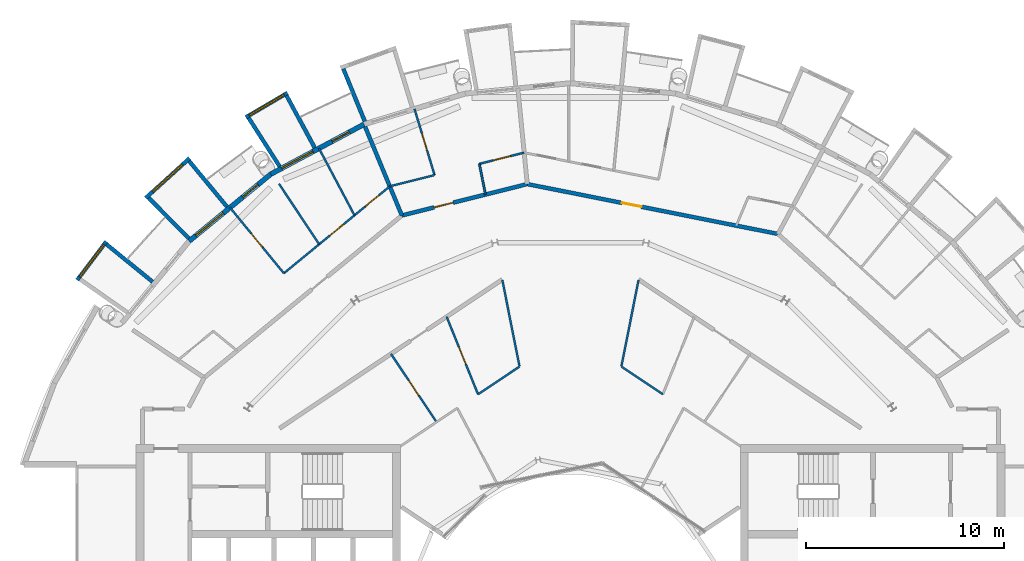
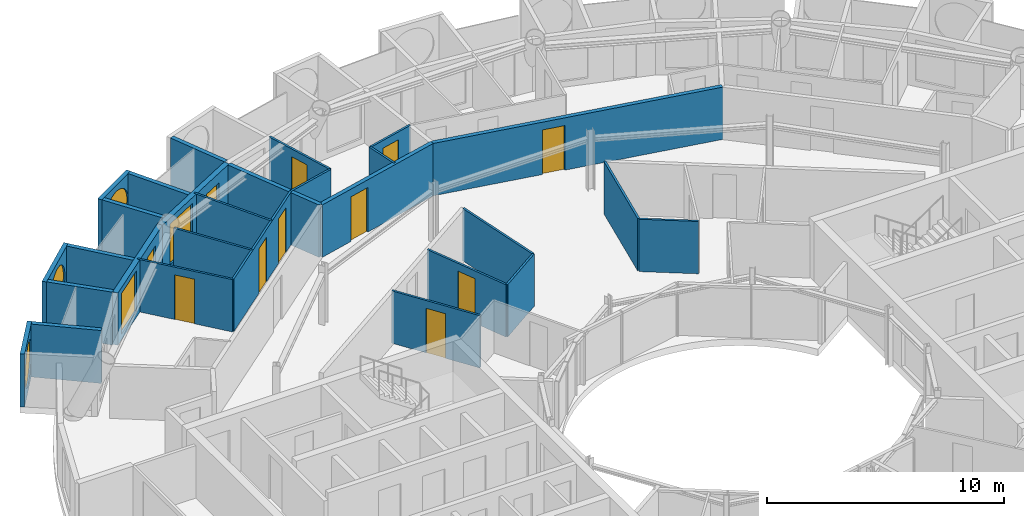
# One storey, part 21 of 28: 28 walls, 11 doors, 5 windows, 16 openings.
"""IFC4 building model written with IfcOpenShell, lengths in metres."""

from ifc_helpers import new_model, si_unit, direction, frame, frame_2d, origin, place, context, subcontext, project, spatial, rectangle, circle, extrude, material, layer, layer_set, type_object, element, fill, save


model = new_model("IFC4")

# Units and contexts
model_context = context("Model", 3, precision=1e-05, world=origin(), true_north=direction((0.0, 1.0)))
body_context = subcontext(model_context, "Body", "Model", "MODEL_VIEW")
ifc_project = project(units=[si_unit("LENGTHUNIT", "METRE"), si_unit("AREAUNIT", "SQUARE_METRE"), si_unit("VOLUMEUNIT", "CUBIC_METRE"), si_unit("PLANEANGLEUNIT", "RADIAN"), si_unit("MASSUNIT", "GRAM", prefix="KILO")], contexts=[model_context])

# Site, building, storey
site_placement = place(None, origin())
site = spatial("IfcSite", under=ifc_project, at=site_placement, CompositionType="ELEMENT")
building_placement = place(site_placement, origin())
building = spatial("IfcBuilding", under=site, at=building_placement, Name="Maasbend Ring Residences", CompositionType="ELEMENT")
storey_placement = place(building_placement, frame((0.0, 0.0, 231.0)))
storey = spatial("IfcBuildingStorey", under=building, at=storey_placement, Name="L66", CompositionType="ELEMENT", Elevation=231.0)

# Wall, opening, door
ifc_material_1 = material(Name="Concrete C30/37", Category="concrete")
ifc_layer_1 = layer(ifc_material_1, 0.199951171875)
ifc_layer_set_1 = layer_set([ifc_layer_1], Name="Concrete C30/37")
wall_type_1 = type_object("IfcWallType", Name="CORRIDOR WALL 200 CONCRETE", PredefinedType="PARTITIONING", material=ifc_layer_set_1)
wall_1_placement = place(storey_placement, frame((-2.18603515625, 22.193115234375, 0.0), z_axis=(0.0, 0.0, 1.0), x_axis=(0.980780341017, -0.195115152343, 0.0)))
wall_1 = element("IfcWall", 1, at=wall_1_placement, inside=storey, type_object=wall_type_1, Name="U-L66-w094", PredefinedType="PARTITIONING", context=body_context, shape_type="SweptSolid", body=[
    extrude(rectangle(XDim=12.94677734375, YDim=0.199951171875, at=frame_2d((6.473388671875, 0.0))), origin(), (0.0, 0.0, 1.0), 2.699951171875),
])
opening_1_placement = place(wall_1_placement, frame((4.89501953125, 0.0, 0.0)))
opening_1 = element("IfcOpeningElement", 2, at=opening_1_placement, cuts=wall_1, Name="Opening D-6606", PredefinedType="OPENING", context=body_context, shape_type="SweptSolid", body=[
    extrude(rectangle(XDim=1.0, YDim=2.300048828125, at=frame_2d((0.5, 1.14990234375))), frame((0.0, 0.10986328125, 0.0), z_axis=(0.0, -1.0, 0.0), x_axis=(1.0, 0.0, 0.0)), (0.0, 0.0, 1.0), 0.219970703125),
])
ifc_material_2 = material(Name="Timber, fire-rated, painted", Category="wood")
door_type_1 = type_object("IfcDoorType", Name="FLAT ENTRANCE DOOR 1000 X 2300 FIRE-RATED", OperationType="NOTDEFINED", PredefinedType="DOOR", material=ifc_material_2)
door_1_placement = place(opening_1_placement, origin())
door_1 = element("IfcDoor", 3, at=door_1_placement, inside=storey, type_object=door_type_1, Name="D-6606", OperationType="SINGLE_SWING_LEFT", OverallHeight=2.300048828125, OverallWidth=1.0, PredefinedType="DOOR", context=body_context, shape_type="SweptSolid", body=[
    extrude(rectangle(XDim=1.0, YDim=2.300048828125, at=frame_2d((0.5, 1.14990234375))), frame((0.0, 0.02490234375, 0.0), z_axis=(0.0, -1.0, 0.0), x_axis=(1.0, 0.0, 0.0)), (0.0, 0.0, 1.0), 0.050048828125),
])
fill(opening_1, door_1)

wall_2_placement = place(storey_placement, frame((-8.533935546875, 20.60302734375, 0.0), z_axis=(0.0, 0.0, 1.0), x_axis=(0.97003047456, 0.242983288366, 0.0)))
wall_2 = element("IfcWall", 4, at=wall_2_placement, inside=storey, type_object=wall_type_1, Name="U-L66-w098", PredefinedType="PARTITIONING", context=body_context, shape_type="SweptSolid", body=[
    extrude(rectangle(XDim=6.5439453125, YDim=0.199951171875, at=frame_2d((3.27197265625, 0.0))), origin(), (0.0, 0.0, 1.0), 2.699951171875),
])
opening_2_placement = place(wall_2_placement, frame((1.680908203125, 0.0, 0.0)))
opening_2 = element("IfcOpeningElement", 5, at=opening_2_placement, cuts=wall_2, Name="Opening D-6611", PredefinedType="OPENING", context=body_context, shape_type="SweptSolid", body=[
    extrude(rectangle(XDim=1.0, YDim=2.300048828125, at=frame_2d((0.5, 1.14990234375))), frame((0.0, 0.10986328125, 0.0), z_axis=(0.0, -1.0, 0.0), x_axis=(1.0, 0.0, 0.0)), (0.0, 0.0, 1.0), 0.219970703125),
])
door_2_placement = place(opening_2_placement, origin())
door_2 = element("IfcDoor", 6, at=door_2_placement, inside=storey, type_object=door_type_1, Name="D-6611", OperationType="SINGLE_SWING_LEFT", OverallHeight=2.300048828125, OverallWidth=1.0, PredefinedType="DOOR", context=body_context, shape_type="SweptSolid", body=[
    extrude(rectangle(XDim=1.0, YDim=2.300048828125, at=frame_2d((0.5, 1.14990234375))), frame((0.0, 0.02490234375, 0.0), z_axis=(0.0, -1.0, 0.0), x_axis=(1.0, 0.0, 0.0)), (0.0, 0.0, 1.0), 0.050048828125),
])
fill(opening_2, door_2)

# Wall
ifc_material_3 = material(Name="Pale anodised aluminium panel", Category="aluminium")
ifc_layer_2 = layer(ifc_material_3, 0.199951171875)
ifc_layer_set_2 = layer_set([ifc_layer_2], Name="EW-BOX")
wall_type_2 = type_object("IfcWallType", Name="EW-BOX", PredefinedType="SOLIDWALL", material=ifc_layer_set_2)
wall_3_placement = place(storey_placement, frame((-10.408935546875, 25.364013671875, -0.030029296875), z_axis=(0.0, 0.0, 1.0), x_axis=(-0.379509886562, 0.925187681501, 0.0)))
element("IfcWall", 7, at=wall_3_placement, inside=storey, type_object=wall_type_2, Name="Box side wall N14 right", PredefinedType="SOLIDWALL", context=body_context, shape_type="SweptSolid", body=[
    extrude(rectangle(XDim=2.882568359375, YDim=0.199951171875, at=frame_2d((1.44140625, 0.0))), origin(), (0.0, 0.0, 1.0), 2.72998046875),
])

# Wall, opening, window
wall_4_placement = place(storey_placement, frame((-14.326904296875, 26.81201171875, -0.030029296875), z_axis=(0.0, 0.0, 1.0), x_axis=(-0.862403467503, -0.506221551535, 0.0)))
wall_4 = element("IfcWall", 8, at=wall_4_placement, inside=storey, type_object=wall_type_2, Name="Box front N16", PredefinedType="SOLIDWALL", context=body_context, shape_type="SweptSolid", body=[
    extrude(rectangle(XDim=2.445556640625, YDim=0.199951171875, at=frame_2d((1.22265625, 0.0))), origin(), (0.0, 0.0, 1.0), 2.72998046875),
])
opening_3_placement = place(wall_4_placement, frame((0.182861328125, 0.0, 0.330078125)))
opening_3 = element("IfcOpeningElement", 9, at=opening_3_placement, cuts=wall_4, Name="Opening W-RD", PredefinedType="OPENING", context=body_context, shape_type="SweptSolid", body=[
    extrude(circle(Radius=1.0400390625, at=frame_2d((1.0400390625, 1.0400390625))), frame((0.0, 0.10986328125, 0.0), z_axis=(0.0, -1.0, 0.0), x_axis=(1.0, 0.0, 0.0)), (0.0, 0.0, 1.0), 0.219970703125),
])
ifc_material_4 = material(Name="Aluminium and clear glass", Category="aluminium")
window_type_1 = type_object("IfcWindowType", Name="W-RD", PartitioningType="SINGLE_PANEL", PredefinedType="WINDOW", material=ifc_material_4)
window_1_placement = place(opening_3_placement, origin())
window_1 = element("IfcWindow", 10, at=window_1_placement, inside=storey, type_object=window_type_1, Name="Round window N16", OverallHeight=2.080078125, OverallWidth=2.080078125, PartitioningType="SINGLE_PANEL", PredefinedType="WINDOW", context=body_context, shape_type="SweptSolid", body=[
    extrude(circle(Radius=1.0400390625, at=frame_2d((1.0400390625, 1.0400390625))), frame((0.0, 0.030029296875, 0.0), z_axis=(0.0, -1.0, 0.0), x_axis=(1.0, 0.0, 0.0)), (0.0, 0.0, 1.0), 0.06005859375),
])
fill(opening_3, window_1)

# Walls
wall_5_placement = place(storey_placement, frame((-12.945068359375, 24.029052734375, -0.030029296875), z_axis=(0.0, 0.0, 1.0), x_axis=(-0.474424310775, 0.88029629861, 0.0)))
element("IfcWall", 11, at=wall_5_placement, inside=storey, type_object=wall_type_2, Name="Box side wall N16 left", PredefinedType="SOLIDWALL", context=body_context, shape_type="SweptSolid", body=[
    extrude(rectangle(XDim=3.005859375, YDim=0.199951171875, at=frame_2d((1.5029296875, 0.0))), origin(), (0.0, 0.0, 1.0), 2.72998046875),
])
wall_6_placement = place(storey_placement, frame((-14.721923828125, 23.0791015625, -0.030029296875), z_axis=(0.0, 0.0, 1.0), x_axis=(-0.537572179146, 0.843217737129, 0.0)))
element("IfcWall", 12, at=wall_6_placement, inside=storey, type_object=wall_type_2, Name="Box side wall N16 right", PredefinedType="SOLIDWALL", context=body_context, shape_type="SweptSolid", body=[
    extrude(rectangle(XDim=2.92431640625, YDim=0.199951171875, at=frame_2d((1.462158203125, 0.0))), origin(), (0.0, 0.0, 1.0), 2.72998046875),
])

# Wall, opening, window
wall_7_placement = place(storey_placement, frame((-19.281982421875, 23.5029296875, -0.030029296875), z_axis=(0.0, 0.0, 1.0), x_axis=(-0.740998365753, -0.671506829416, 0.0)))
wall_7 = element("IfcWall", 13, at=wall_7_placement, inside=storey, type_object=wall_type_2, Name="Box front N18", PredefinedType="SOLIDWALL", context=body_context, shape_type="SweptSolid", body=[
    extrude(rectangle(XDim=2.9931640625, YDim=0.199951171875, at=frame_2d((1.49658203125, 0.0))), origin(), (0.0, 0.0, 1.0), 2.72998046875),
])
opening_4_placement = place(wall_7_placement, frame((0.45654296875, 0.0, 0.330078125)))
opening_4 = element("IfcOpeningElement", 14, at=opening_4_placement, cuts=wall_7, Name="Opening W-RD", PredefinedType="OPENING", context=body_context, shape_type="SweptSolid", body=[
    extrude(circle(Radius=1.0400390625, at=frame_2d((1.0400390625, 1.0400390625))), frame((0.0, 0.10986328125, 0.0), z_axis=(0.0, -1.0, 0.0), x_axis=(1.0, 0.0, 0.0)), (0.0, 0.0, 1.0), 0.219970703125),
])
window_2_placement = place(opening_4_placement, origin())
window_2 = element("IfcWindow", 15, at=window_2_placement, inside=storey, type_object=window_type_1, Name="Round window N18", OverallHeight=2.080078125, OverallWidth=2.080078125, PartitioningType="SINGLE_PANEL", PredefinedType="WINDOW", context=body_context, shape_type="SweptSolid", body=[
    extrude(circle(Radius=1.0400390625, at=frame_2d((1.0400390625, 1.0400390625))), frame((0.0, 0.030029296875, 0.0), z_axis=(0.0, -1.0, 0.0), x_axis=(1.0, 0.0, 0.0)), (0.0, 0.0, 1.0), 0.06005859375),
])
fill(opening_4, window_2)

# Walls
wall_8_placement = place(storey_placement, frame((-17.384033203125, 21.041015625, -0.030029296875), z_axis=(0.0, 0.0, 1.0), x_axis=(-0.63709551667, 0.770784861449, 0.0)))
element("IfcWall", 16, at=wall_8_placement, inside=storey, type_object=wall_type_2, Name="Box side wall N18 left", PredefinedType="SOLIDWALL", context=body_context, shape_type="SweptSolid", body=[
    extrude(rectangle(XDim=3.005859375, YDim=0.199951171875, at=frame_2d((1.5029296875, 0.0))), origin(), (0.0, 0.0, 1.0), 2.72998046875),
])
wall_9_placement = place(storey_placement, frame((-19.322998046875, 19.449951171875, -0.030029296875), z_axis=(0.0, 0.0, 1.0), x_axis=(-0.704476739375, 0.709727076896, 0.0)))
element("IfcWall", 17, at=wall_9_placement, inside=storey, type_object=wall_type_2, Name="Box side wall N18 right", PredefinedType="SOLIDWALL", context=body_context, shape_type="SweptSolid", body=[
    extrude(rectangle(XDim=2.883056640625, YDim=0.199951171875, at=frame_2d((1.44140625, 0.0))), origin(), (0.0, 0.0, 1.0), 2.72998046875),
])

# Wall, opening, window
wall_10_placement = place(storey_placement, frame((-23.4970703125, 19.2890625, -0.030029296875), z_axis=(0.0, 0.0, 1.0), x_axis=(-0.602806268067, -0.797887588059, 0.0)))
wall_10 = element("IfcWall", 18, at=wall_10_placement, inside=storey, type_object=wall_type_2, Name="Box front N20", PredefinedType="SOLIDWALL", context=body_context, shape_type="SweptSolid", body=[
    extrude(rectangle(XDim=2.446533203125, YDim=0.199951171875, at=frame_2d((1.22314453125, 0.0))), origin(), (0.0, 0.0, 1.0), 2.72998046875),
])
opening_5_placement = place(wall_10_placement, frame((0.182861328125, 0.0, 0.330078125)))
opening_5 = element("IfcOpeningElement", 19, at=opening_5_placement, cuts=wall_10, Name="Opening W-RD", PredefinedType="OPENING", context=body_context, shape_type="SweptSolid", body=[
    extrude(circle(Radius=1.0400390625, at=frame_2d((1.0400390625, 1.0400390625))), frame((0.0, 0.10986328125, 0.0), z_axis=(0.0, -1.0, 0.0), x_axis=(1.0, 0.0, 0.0)), (0.0, 0.0, 1.0), 0.219970703125),
])
window_3_placement = place(opening_5_placement, origin())
window_3 = element("IfcWindow", 20, at=window_3_placement, inside=storey, type_object=window_type_1, Name="Round window N20", OverallHeight=2.080078125, OverallWidth=2.080078125, PartitioningType="SINGLE_PANEL", PredefinedType="WINDOW", context=body_context, shape_type="SweptSolid", body=[
    extrude(circle(Radius=1.0400390625, at=frame_2d((1.0400390625, 1.0400390625))), frame((0.0, 0.030029296875, 0.0), z_axis=(0.0, -1.0, 0.0), x_axis=(1.0, 0.0, 0.0)), (0.0, 0.0, 1.0), 0.06005859375),
])
fill(opening_5, window_3)

# Wall
wall_11_placement = place(storey_placement, frame((-21.155029296875, 17.24609375, -0.030029296875), z_axis=(0.0, 0.0, 1.0), x_axis=(-0.775179004516, 0.631741648902, 0.0)))
element("IfcWall", 21, at=wall_11_placement, inside=storey, type_object=wall_type_2, Name="Box side wall N20 left", PredefinedType="SOLIDWALL", context=body_context, shape_type="SweptSolid", body=[
    extrude(rectangle(XDim=3.005859375, YDim=0.199951171875, at=frame_2d((1.5029296875, 0.0))), origin(), (0.0, 0.0, 1.0), 2.72998046875),
])

# Wall, openings, door, window
ifc_material_5 = material(Name="Aluminium clad insulated panel", Category="aluminium")
ifc_layer_3 = layer(ifc_material_5, 0.25)
ifc_layer_set_3 = layer_set([ifc_layer_3], Name="EW-GL")
wall_type_3 = type_object("IfcWallType", Name="EW-GL", PredefinedType="SOLIDWALL", material=ifc_layer_set_3)
wall_12_placement = place(storey_placement, frame((-10.447021484375, 25.221923828125, 0.0), z_axis=(0.0, 0.0, 1.0), x_axis=(-0.881915646801, -0.471407246368, 0.0)))
wall_12 = element("IfcWall", 22, at=wall_12_placement, inside=storey, type_object=wall_type_3, Name="External wall N08", PredefinedType="SOLIDWALL", context=body_context, shape_type="SweptSolid", body=[
    extrude(rectangle(XDim=5.35205078125, YDim=0.25, at=frame_2d((2.676025390625, 0.0))), origin(), (0.0, 0.0, 1.0), 2.699951171875),
])
opening_6_placement = place(wall_12_placement, frame((0.841064453125, 0.0, 0.0)))
opening_6 = element("IfcOpeningElement", 23, at=opening_6_placement, cuts=wall_12, Name="Opening D-LG", PredefinedType="OPENING", context=body_context, shape_type="SweptSolid", body=[
    extrude(rectangle(XDim=1.0, YDim=2.199951171875, at=frame_2d((0.5, 1.10009765625))), frame((0.0, 0.135009765625, 0.0), z_axis=(0.0, -1.0, 0.0), x_axis=(1.0, 0.0, 0.0)), (0.0, 0.0, 1.0), 0.27001953125),
])
opening_7_placement = place(wall_12_placement, frame((2.935791015625, 0.0, 0.300048828125)))
opening_7 = element("IfcOpeningElement", 24, at=opening_7_placement, cuts=wall_12, Name="Opening W-BX", PredefinedType="OPENING", context=body_context, shape_type="SweptSolid", body=[
    extrude(rectangle(XDim=1.800048828125, YDim=2.10009765625, at=frame_2d((0.89990234375, 1.050048828125))), frame((0.0, 0.135009765625, 0.0), z_axis=(0.0, -1.0, 0.0), x_axis=(1.0, 0.0, 0.0)), (0.0, 0.0, 1.0), 0.27001953125),
])
ifc_material_6 = material(Name="Aluminium and clear glass", Category="aluminium")
door_type_2 = type_object("IfcDoorType", Name="D-LG", OperationType="SINGLE_SWING_LEFT", PredefinedType="DOOR", material=ifc_material_6)
door_3_placement = place(opening_6_placement, origin())
door_3 = element("IfcDoor", 25, at=door_3_placement, inside=storey, type_object=door_type_2, Name="Loggia door N15", OperationType="SINGLE_SWING_LEFT", OverallHeight=2.199951171875, OverallWidth=1.0, PredefinedType="DOOR", context=body_context, shape_type="SweptSolid", body=[
    extrude(rectangle(XDim=1.0, YDim=2.199951171875, at=frame_2d((0.5, 1.10009765625))), frame((0.0, 0.02490234375, 0.0), z_axis=(0.0, -1.0, 0.0), x_axis=(1.0, 0.0, 0.0)), (0.0, 0.0, 1.0), 0.050048828125),
])
fill(opening_6, door_3)
ifc_material_7 = material(Name="Aluminium and clear glass", Category="aluminium")
window_type_2 = type_object("IfcWindowType", Name="W-BX", PartitioningType="DOUBLE_PANEL_VERTICAL", PredefinedType="WINDOW", material=ifc_material_7)
window_4_placement = place(opening_7_placement, origin())
window_4 = element("IfcWindow", 26, at=window_4_placement, inside=storey, type_object=window_type_2, Name="Window N16 room to box", OverallHeight=2.10009765625, OverallWidth=1.800048828125, PartitioningType="SINGLE_PANEL", PredefinedType="WINDOW", context=body_context, shape_type="SweptSolid", body=[
    extrude(rectangle(XDim=1.800048828125, YDim=2.10009765625, at=frame_2d((0.89990234375, 1.050048828125))), frame((0.0, 0.030029296875, 0.0), z_axis=(0.0, -1.0, 0.0), x_axis=(1.0, 0.0, 0.0)), (0.0, 0.0, 1.0), 0.06005859375),
])
fill(opening_7, window_4)

wall_13_placement = place(storey_placement, frame((-15.1669921875, 22.698974609375, 0.0), z_axis=(0.0, 0.0, 1.0), x_axis=(-0.773019449054, -0.634382322723, 0.0)))
wall_13 = element("IfcWall", 27, at=wall_13_placement, inside=storey, type_object=wall_type_3, Name="External wall N09", PredefinedType="SOLIDWALL", context=body_context, shape_type="SweptSolid", body=[
    extrude(rectangle(XDim=5.351806640625, YDim=0.25, at=frame_2d((2.67578125, 0.0))), origin(), (0.0, 0.0, 1.0), 2.699951171875),
])
opening_8_placement = place(wall_13_placement, frame((0.841064453125, 0.0, 0.0)))
opening_8 = element("IfcOpeningElement", 28, at=opening_8_placement, cuts=wall_13, Name="Opening D-LG", PredefinedType="OPENING", context=body_context, shape_type="SweptSolid", body=[
    extrude(rectangle(XDim=1.0, YDim=2.199951171875, at=frame_2d((0.5, 1.10009765625))), frame((0.0, 0.135009765625, 0.0), z_axis=(0.0, -1.0, 0.0), x_axis=(1.0, 0.0, 0.0)), (0.0, 0.0, 1.0), 0.27001953125),
])
opening_9_placement = place(wall_13_placement, frame((3.110595703125, 0.0, 0.300048828125)))
opening_9 = element("IfcOpeningElement", 29, at=opening_9_placement, cuts=wall_13, Name="Opening W-BX", PredefinedType="OPENING", context=body_context, shape_type="SweptSolid", body=[
    extrude(rectangle(XDim=1.800048828125, YDim=2.10009765625, at=frame_2d((0.89990234375, 1.050048828125))), frame((0.0, 0.135009765625, 0.0), z_axis=(0.0, -1.0, 0.0), x_axis=(1.0, 0.0, 0.0)), (0.0, 0.0, 1.0), 0.27001953125),
])
door_4_placement = place(opening_8_placement, origin())
door_4 = element("IfcDoor", 30, at=door_4_placement, inside=storey, type_object=door_type_2, Name="Loggia door N17", OperationType="SINGLE_SWING_LEFT", OverallHeight=2.199951171875, OverallWidth=1.0, PredefinedType="DOOR", context=body_context, shape_type="SweptSolid", body=[
    extrude(rectangle(XDim=1.0, YDim=2.199951171875, at=frame_2d((0.5, 1.10009765625))), frame((0.0, 0.02490234375, 0.0), z_axis=(0.0, -1.0, 0.0), x_axis=(1.0, 0.0, 0.0)), (0.0, 0.0, 1.0), 0.050048828125),
])
fill(opening_8, door_4)
window_5_placement = place(opening_9_placement, origin())
window_5 = element("IfcWindow", 31, at=window_5_placement, inside=storey, type_object=window_type_2, Name="Window N18 room to box", OverallHeight=2.10009765625, OverallWidth=1.800048828125, PartitioningType="SINGLE_PANEL", PredefinedType="WINDOW", context=body_context, shape_type="SweptSolid", body=[
    extrude(rectangle(XDim=1.800048828125, YDim=2.10009765625, at=frame_2d((0.89990234375, 1.050048828125))), frame((0.0, 0.030029296875, 0.0), z_axis=(0.0, -1.0, 0.0), x_axis=(1.0, 0.0, 0.0)), (0.0, 0.0, 1.0), 0.06005859375),
])
fill(opening_9, window_5)

# Wall
ifc_material_8 = material(Name="Gypsum board on steel studs", Category="steel")
ifc_layer_4 = layer(ifc_material_8, 0.10009765625)
ifc_layer_set_4 = layer_set([ifc_layer_4], Name="PARTITION 100 GYPSUM")
wall_type_4 = type_object("IfcWallType", Name="PARTITION 100 GYPSUM", PredefinedType="PARTITIONING", material=ifc_layer_set_4)
wall_14_placement = place(storey_placement, frame((-4.610107421875, 23.217041015625, 0.0), z_axis=(0.0, 0.0, 1.0), x_axis=(0.194485862594, -0.980905321247, 0.0)))
element("IfcWall", 32, at=wall_14_placement, inside=storey, type_object=wall_type_4, Name="U-L66-w031", PredefinedType="PARTITIONING", context=body_context, shape_type="SweptSolid", body=[
    extrude(rectangle(XDim=1.584228515625, YDim=0.10009765625, at=frame_2d((0.7919921875, 0.0))), origin(), (0.0, 0.0, 1.0), 2.699951171875),
])

# Wall, opening, door
wall_15_placement = place(storey_placement, frame((-17.239990234375, 21.007080078125, 0.0), z_axis=(0.0, 0.0, 1.0), x_axis=(0.634342681687, -0.77305197897, 0.0)))
wall_15 = element("IfcWall", 33, at=wall_15_placement, inside=storey, type_object=wall_type_4, Name="U-L66-w037", PredefinedType="PARTITIONING", context=body_context, shape_type="SweptSolid", body=[
    extrude(rectangle(XDim=4.30517578125, YDim=0.10009765625, at=frame_2d((2.152587890625, 0.0))), origin(), (0.0, 0.0, 1.0), 2.699951171875),
])
opening_10_placement = place(wall_15_placement, frame((1.702880859375, 0.0, 0.0)))
opening_10 = element("IfcOpeningElement", 34, at=opening_10_placement, cuts=wall_15, Name="Opening D-6616", PredefinedType="OPENING", context=body_context, shape_type="SweptSolid", body=[
    extrude(rectangle(XDim=0.89990234375, YDim=2.300048828125, at=frame_2d((0.449951171875, 1.14990234375))), frame((0.0, 0.06005859375, 0.0), z_axis=(0.0, -1.0, 0.0), x_axis=(1.0, 0.0, 0.0)), (0.0, 0.0, 1.0), 0.1201171875),
])
ifc_material_9 = material(Name="Timber, painted", Category="wood")
door_type_3 = type_object("IfcDoorType", Name="INTERNAL DOOR 900 X 2300", OperationType="NOTDEFINED", PredefinedType="DOOR", material=ifc_material_9)
door_5_placement = place(opening_10_placement, origin())
door_5 = element("IfcDoor", 35, at=door_5_placement, inside=storey, type_object=door_type_3, Name="D-6616", OperationType="SINGLE_SWING_LEFT", OverallHeight=2.300048828125, OverallWidth=0.89990234375, PredefinedType="DOOR", context=body_context, shape_type="SweptSolid", body=[
    extrude(rectangle(XDim=0.89990234375, YDim=2.300048828125, at=frame_2d((0.449951171875, 1.14990234375))), frame((0.0, 0.02490234375, 0.0), z_axis=(0.0, -1.0, 0.0), x_axis=(1.0, 0.0, 0.0)), (0.0, 0.0, 1.0), 0.050048828125),
])
fill(opening_10, door_5)

# Wall
wall_16_placement = place(storey_placement, frame((-12.73388671875, 24.007080078125, 0.0), z_axis=(0.0, 0.0, 1.0), x_axis=(0.468594334564, -0.883413464701, 0.0)))
element("IfcWall", 36, at=wall_16_placement, inside=storey, type_object=wall_type_4, Name="U-L66-w039", PredefinedType="PARTITIONING", context=body_context, shape_type="SweptSolid", body=[
    extrude(rectangle(XDim=3.8408203125, YDim=0.10009765625, at=frame_2d((1.92041015625, 0.0))), origin(), (0.0, 0.0, 1.0), 2.699951171875),
])

# Wall, opening, door
wall_17_placement = place(storey_placement, frame((-9.0849609375, 13.596923828125, 0.0), z_axis=(0.0, 0.0, 1.0), x_axis=(0.555528237031, -0.831497671591, 0.0)))
wall_17 = element("IfcWall", 37, at=wall_17_placement, inside=storey, type_object=wall_type_4, Name="U-L66-w043", PredefinedType="PARTITIONING", context=body_context, shape_type="SweptSolid", body=[
    extrude(rectangle(XDim=4.149169921875, YDim=0.10009765625, at=frame_2d((2.07470703125, 0.0))), origin(), (0.0, 0.0, 1.0), 2.699951171875),
])
opening_11_placement = place(wall_17_placement, frame((1.625, 0.0, 0.0)))
opening_11 = element("IfcOpeningElement", 38, at=opening_11_placement, cuts=wall_17, Name="Opening D-6625", PredefinedType="OPENING", context=body_context, shape_type="SweptSolid", body=[
    extrude(rectangle(XDim=0.89990234375, YDim=2.300048828125, at=frame_2d((0.449951171875, 1.14990234375))), frame((0.0, 0.06005859375, 0.0), z_axis=(0.0, -1.0, 0.0), x_axis=(1.0, 0.0, 0.0)), (0.0, 0.0, 1.0), 0.1201171875),
])
door_6_placement = place(opening_11_placement, origin())
door_6 = element("IfcDoor", 39, at=door_6_placement, inside=storey, type_object=door_type_3, Name="D-6625", OperationType="SINGLE_SWING_LEFT", OverallHeight=2.300048828125, OverallWidth=0.89990234375, PredefinedType="DOOR", context=body_context, shape_type="SweptSolid", body=[
    extrude(rectangle(XDim=0.89990234375, YDim=2.300048828125, at=frame_2d((0.449951171875, 1.14990234375))), frame((0.0, 0.02490234375, 0.0), z_axis=(0.0, -1.0, 0.0), x_axis=(1.0, 0.0, 0.0)), (0.0, 0.0, 1.0), 0.050048828125),
])
fill(opening_11, door_6)

wall_18_placement = place(storey_placement, frame((-7.89697265625, 26.001953125, 0.0), z_axis=(0.0, 0.0, 1.0), x_axis=(0.290784578865, -0.956788549625, 0.0)))
wall_18 = element("IfcWall", 40, at=wall_18_placement, inside=storey, type_object=wall_type_4, Name="U-L66-w045", PredefinedType="PARTITIONING", context=body_context, shape_type="SweptSolid", body=[
    extrude(rectangle(XDim=3.50439453125, YDim=0.10009765625, at=frame_2d((1.752197265625, 0.0))), origin(), (0.0, 0.0, 1.0), 2.699951171875),
])
opening_12_placement = place(wall_18_placement, frame((1.302001953125, 0.0, 0.0)))
opening_12 = element("IfcOpeningElement", 41, at=opening_12_placement, cuts=wall_18, Name="Opening D-6613", PredefinedType="OPENING", context=body_context, shape_type="SweptSolid", body=[
    extrude(rectangle(XDim=0.89990234375, YDim=2.300048828125, at=frame_2d((0.449951171875, 1.14990234375))), frame((0.0, 0.06005859375, 0.0), z_axis=(0.0, -1.0, 0.0), x_axis=(1.0, 0.0, 0.0)), (0.0, 0.0, 1.0), 0.1201171875),
])
door_7_placement = place(opening_12_placement, origin())
door_7 = element("IfcDoor", 42, at=door_7_placement, inside=storey, type_object=door_type_3, Name="D-6613", OperationType="SINGLE_SWING_RIGHT", OverallHeight=2.300048828125, OverallWidth=0.89990234375, PredefinedType="DOOR", context=body_context, shape_type="SweptSolid", body=[
    extrude(rectangle(XDim=0.89990234375, YDim=2.300048828125, at=frame_2d((0.449951171875, 1.14990234375))), frame((0.0, 0.02490234375, 0.0), z_axis=(0.0, -1.0, 0.0), x_axis=(1.0, 0.0, 0.0)), (0.0, 0.0, 1.0), 0.050048828125),
])
fill(opening_12, door_7)

wall_19_placement = place(storey_placement, frame((-6.26904296875, 15.47802734375, 0.0), z_axis=(0.0, 0.0, 1.0), x_axis=(0.375509828455, -0.926818411952, 0.0)))
wall_19 = element("IfcWall", 43, at=wall_19_placement, inside=storey, type_object=wall_type_4, Name="U-L66-w047", PredefinedType="PARTITIONING", context=body_context, shape_type="SweptSolid", body=[
    extrude(rectangle(XDim=4.237060546875, YDim=0.10009765625, at=frame_2d((2.11865234375, 0.0))), origin(), (0.0, 0.0, 1.0), 2.699951171875),
])
opening_13_placement = place(wall_19_placement, frame((1.6689453125, 0.0, 0.0)))
opening_13 = element("IfcOpeningElement", 44, at=opening_13_placement, cuts=wall_19, Name="Opening D-6624", PredefinedType="OPENING", context=body_context, shape_type="SweptSolid", body=[
    extrude(rectangle(XDim=0.89990234375, YDim=2.300048828125, at=frame_2d((0.449951171875, 1.14990234375))), frame((0.0, 0.06005859375, 0.0), z_axis=(0.0, -1.0, 0.0), x_axis=(1.0, 0.0, 0.0)), (0.0, 0.0, 1.0), 0.1201171875),
])
door_8_placement = place(opening_13_placement, origin())
door_8 = element("IfcDoor", 45, at=door_8_placement, inside=storey, type_object=door_type_3, Name="D-6624", OperationType="SINGLE_SWING_LEFT", OverallHeight=2.300048828125, OverallWidth=0.89990234375, PredefinedType="DOOR", context=body_context, shape_type="SweptSolid", body=[
    extrude(rectangle(XDim=0.89990234375, YDim=2.300048828125, at=frame_2d((0.449951171875, 1.14990234375))), frame((0.0, 0.02490234375, 0.0), z_axis=(0.0, -1.0, 0.0), x_axis=(1.0, 0.0, 0.0)), (0.0, 0.0, 1.0), 0.050048828125),
])
fill(opening_13, door_8)

# Walls
wall_20_placement = place(storey_placement, frame((-14.75390625, 22.205078125, 0.0), z_axis=(0.0, 0.0, 1.0), x_axis=(0.553610409741, -0.832775788689, 0.0)))
element("IfcWall", 46, at=wall_20_placement, inside=storey, type_object=wall_type_4, Name="U-L66-w081", PredefinedType="PARTITIONING", context=body_context, shape_type="SweptSolid", body=[
    extrude(rectangle(XDim=3.672119140625, YDim=0.10009765625, at=frame_2d((1.8359375, 0.0))), origin(), (0.0, 0.0, 1.0), 2.699951171875),
])
for number, where, z_axis, x_axis, name in (
    (47, (-4.677978515625, 11.551025390625, 0.0), (0.0, 0.0, 1.0), (0.831440395268, 0.555613956912, 0.0), "U-L66-w088"),
    (48, (2.576904296875, 12.955078125, 0.0), (0.0, 0.0, 1.0), (0.831440395268, -0.555613956912, 0.0), "U-L66-w089"),
):
    element("IfcWall", number, at=place(storey_placement, frame(where, z_axis=z_axis, x_axis=x_axis)), inside=storey, type_object=wall_type_4, Name=name, PredefinedType="PARTITIONING", context=body_context, shape_type="SweptSolid", body=[
        extrude(rectangle(XDim=2.527099609375, YDim=0.10009765625, at=frame_2d((1.263671875, 0.0))), origin(), (0.0, 0.0, 1.0), 2.699951171875),
    ])

# Wall, openings, doors
wall_21_placement = place(storey_placement, frame((-14.5048828125, 17.680908203125, 0.0), z_axis=(0.0, 0.0, 1.0), x_axis=(0.773067618794, 0.634323621484, 0.0)))
wall_21 = element("IfcWall", 49, at=wall_21_placement, inside=storey, type_object=wall_type_4, Name="U-L66-w102", PredefinedType="PARTITIONING", context=body_context, shape_type="SweptSolid", body=[
    extrude(rectangle(XDim=6.938232421875, YDim=0.10009765625, at=frame_2d((3.46923828125, 0.0))), origin(), (0.0, 0.0, 1.0), 2.699951171875),
])
opening_14_placement = place(wall_21_placement, frame((3.01611328125, 0.0, 0.0)))
opening_14 = element("IfcOpeningElement", 50, at=opening_14_placement, cuts=wall_21, Name="Opening D-6617", PredefinedType="OPENING", context=body_context, shape_type="SweptSolid", body=[
    extrude(rectangle(XDim=0.89990234375, YDim=2.300048828125, at=frame_2d((0.449951171875, 1.14990234375))), frame((0.0, 0.06005859375, 0.0), z_axis=(0.0, -1.0, 0.0), x_axis=(1.0, 0.0, 0.0)), (0.0, 0.0, 1.0), 0.1201171875),
])
opening_15_placement = place(wall_21_placement, frame((5.324951171875, 0.0, 0.0)))
opening_15 = element("IfcOpeningElement", 51, at=opening_15_placement, cuts=wall_21, Name="Opening D-6618", PredefinedType="OPENING", context=body_context, shape_type="SweptSolid", body=[
    extrude(rectangle(XDim=0.89990234375, YDim=2.300048828125, at=frame_2d((0.449951171875, 1.14990234375))), frame((0.0, 0.06005859375, 0.0), z_axis=(0.0, -1.0, 0.0), x_axis=(1.0, 0.0, 0.0)), (0.0, 0.0, 1.0), 0.1201171875),
])
door_9_placement = place(opening_14_placement, origin())
door_9 = element("IfcDoor", 52, at=door_9_placement, inside=storey, type_object=door_type_3, Name="D-6617", OperationType="SINGLE_SWING_LEFT", OverallHeight=2.300048828125, OverallWidth=0.89990234375, PredefinedType="DOOR", context=body_context, shape_type="SweptSolid", body=[
    extrude(rectangle(XDim=0.89990234375, YDim=2.300048828125, at=frame_2d((0.449951171875, 1.14990234375))), frame((0.0, 0.02490234375, 0.0), z_axis=(0.0, -1.0, 0.0), x_axis=(1.0, 0.0, 0.0)), (0.0, 0.0, 1.0), 0.050048828125),
])
fill(opening_14, door_9)
door_10_placement = place(opening_15_placement, origin())
door_10 = element("IfcDoor", 53, at=door_10_placement, inside=storey, type_object=door_type_3, Name="D-6618", OperationType="SINGLE_SWING_RIGHT", OverallHeight=2.300048828125, OverallWidth=0.89990234375, PredefinedType="DOOR", context=body_context, shape_type="SweptSolid", body=[
    extrude(rectangle(XDim=0.89990234375, YDim=2.300048828125, at=frame_2d((0.449951171875, 1.14990234375))), frame((0.0, 0.02490234375, 0.0), z_axis=(0.0, -1.0, 0.0), x_axis=(1.0, 0.0, 0.0)), (0.0, 0.0, 1.0), 0.050048828125),
])
fill(opening_15, door_10)

# Wall
wall_22_placement = place(storey_placement, frame((-9.14794921875, 22.080078125, 0.0), z_axis=(0.0, 0.0, 1.0), x_axis=(0.9700564467, 0.242879579658, 0.0)))
element("IfcWall", 54, at=wall_22_placement, inside=storey, type_object=wall_type_4, Name="U-L66-w107", PredefinedType="PARTITIONING", context=body_context, shape_type="SweptSolid", body=[
    extrude(rectangle(XDim=2.338134765625, YDim=0.10009765625, at=frame_2d((1.1689453125, 0.0))), origin(), (0.0, 0.0, 1.0), 2.699951171875),
])

# Wall, opening, door
wall_23_placement = place(storey_placement, frame((-4.610107421875, 23.217041015625, 0.0), z_axis=(0.0, 0.0, 1.0), x_axis=(0.970031792706, 0.242978026043, 0.0)))
wall_23 = element("IfcWall", 55, at=wall_23_placement, inside=storey, type_object=wall_type_4, Name="U-L66-w108", PredefinedType="PARTITIONING", context=body_context, shape_type="SweptSolid", body=[
    extrude(rectangle(XDim=2.337158203125, YDim=0.10009765625, at=frame_2d((1.16845703125, 0.0))), origin(), (0.0, 0.0, 1.0), 2.699951171875),
])
opening_16_placement = place(wall_23_placement, frame((0.718994140625, 0.0, 0.0)))
opening_16 = element("IfcOpeningElement", 56, at=opening_16_placement, cuts=wall_23, Name="Opening D-6612", PredefinedType="OPENING", context=body_context, shape_type="SweptSolid", body=[
    extrude(rectangle(XDim=0.89990234375, YDim=2.300048828125, at=frame_2d((0.449951171875, 1.14990234375))), frame((0.0, 0.06005859375, 0.0), z_axis=(0.0, -1.0, 0.0), x_axis=(1.0, 0.0, 0.0)), (0.0, 0.0, 1.0), 0.1201171875),
])
door_11_placement = place(opening_16_placement, origin())
door_11 = element("IfcDoor", 57, at=door_11_placement, inside=storey, type_object=door_type_3, Name="D-6612", OperationType="SINGLE_SWING_LEFT", OverallHeight=2.300048828125, OverallWidth=0.89990234375, PredefinedType="DOOR", context=body_context, shape_type="SweptSolid", body=[
    extrude(rectangle(XDim=0.89990234375, YDim=2.300048828125, at=frame_2d((0.449951171875, 1.14990234375))), frame((0.0, 0.02490234375, 0.0), z_axis=(0.0, -1.0, 0.0), x_axis=(1.0, 0.0, 0.0)), (0.0, 0.0, 1.0), 0.050048828125),
])
fill(opening_16, door_11)

# Walls
for number, where, z_axis, x_axis, name in (
    (58, (2.5810546875, 12.97607421875, 0.0), (0.0, 0.0, 1.0), (0.195102838171, 0.980782790702, 0.0), "U-L66-w109"),
    (59, (-3.448974609375, 17.339111328125, 0.0), (0.0, 0.0, 1.0), (0.195102838171, -0.980782790702, 0.0), "U-L66-w110"),
):
    element("IfcWall", number, at=place(storey_placement, frame(where, z_axis=z_axis, x_axis=x_axis)), inside=storey, type_object=wall_type_4, Name=name, PredefinedType="PARTITIONING", context=body_context, shape_type="SweptSolid", body=[
        extrude(rectangle(XDim=4.448486328125, YDim=0.10009765625, at=frame_2d((2.22412109375, 0.0))), origin(), (0.0, 0.0, 1.0), 2.699951171875),
    ])
ifc_material_10 = material(Name="Concrete C30/37", Category="concrete")
ifc_layer_5 = layer(ifc_material_10, 0.199951171875)
ifc_layer_set_5 = layer_set([ifc_layer_5], Name="Concrete C30/37")
wall_type_5 = type_object("IfcWallType", Name="PARTY WALL 200 CONCRETE", PredefinedType="PARTITIONING", material=ifc_layer_set_5)
wall_24_placement = place(storey_placement, frame((-10.39892578125, 25.10595703125, 0.0), z_axis=(0.0, 0.0, 1.0), x_axis=(0.382651153718, -0.923892902104, 0.0)))
element("IfcWall", 60, at=wall_24_placement, inside=storey, type_object=wall_type_5, Name="U-L66-w042", PredefinedType="PARTITIONING", context=body_context, shape_type="SweptSolid", body=[
    extrude(rectangle(XDim=4.873779296875, YDim=0.199951171875, at=frame_2d((2.43701171875, 0.0))), origin(), (0.0, 0.0, 1.0), 2.699951171875),
])

save(model, "model.ifc")
